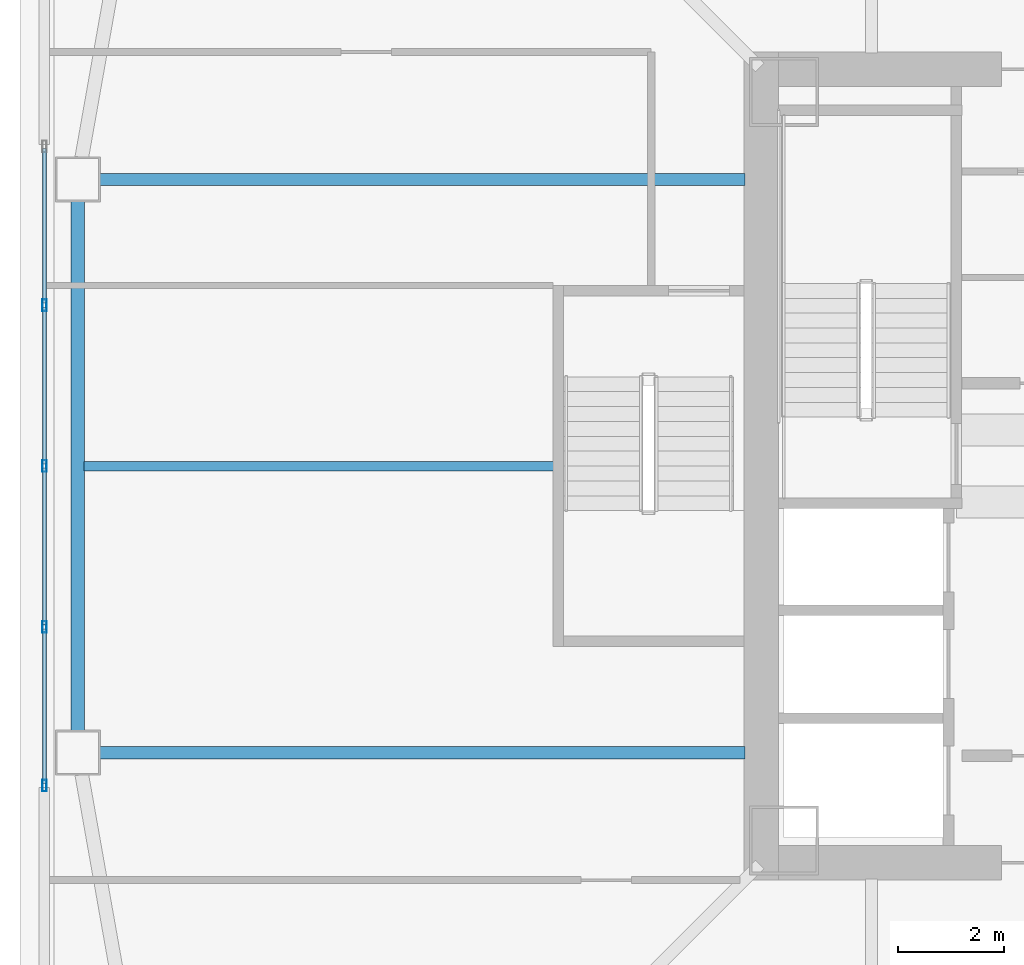
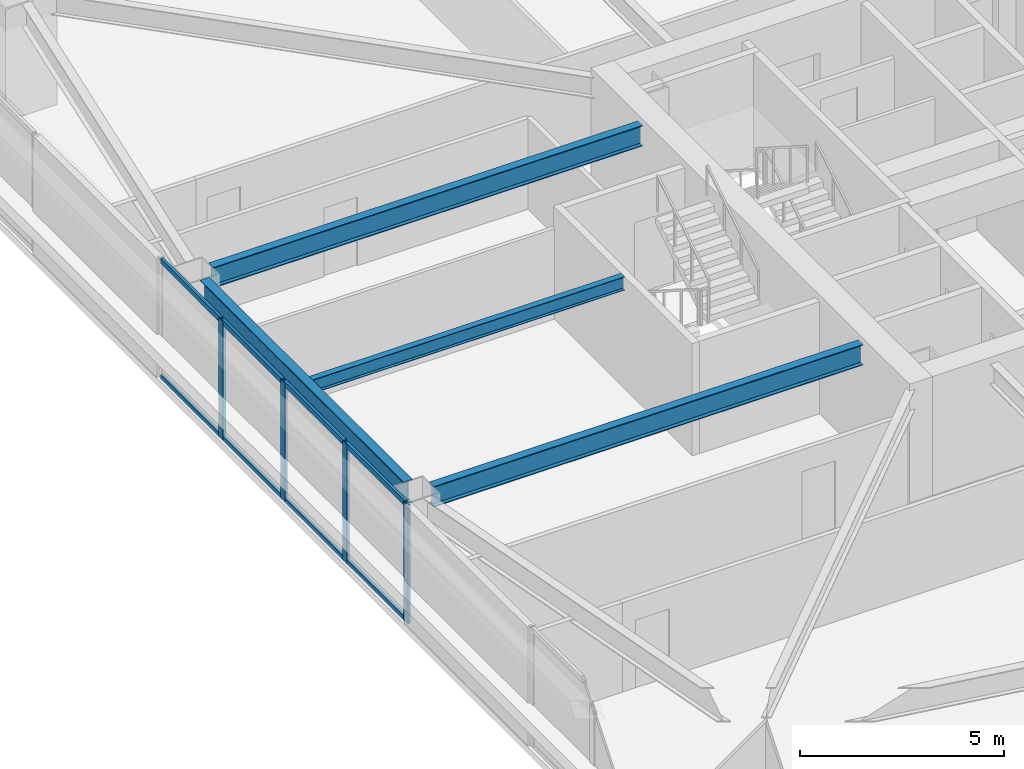
# One storey, part 6 of 44: 12 members, 4 beams, 1 element without a shape of its own.
"""IFC4 building model written with IfcOpenShell, lengths in metres."""

from ifc_helpers import new_model, si_unit, direction, frame, origin, origin_2d, place, context, subcontext, project, spatial, hollow_rectangle, i_section, extrude, material, material_profile, profile_set, type_object, element, aggregate, save


model = new_model("IFC4")

# Units and contexts
model_context = context("Model", 3, precision=1e-05, world=origin(), true_north=direction((0.0, 1.0)))
body_context = subcontext(model_context, "Body", "Model", "MODEL_VIEW")
ifc_project = project(units=[si_unit("LENGTHUNIT", "METRE"), si_unit("AREAUNIT", "SQUARE_METRE"), si_unit("VOLUMEUNIT", "CUBIC_METRE"), si_unit("PLANEANGLEUNIT", "RADIAN"), si_unit("MASSUNIT", "GRAM", prefix="KILO")], contexts=[model_context])

# Site, building, storey
site_placement = place(None, origin())
site = spatial("IfcSite", under=ifc_project, at=site_placement, CompositionType="ELEMENT")
building_placement = place(site_placement, origin())
building = spatial("IfcBuilding", under=site, at=building_placement, Name="Tashvorn Skyway Center", CompositionType="ELEMENT")
storey_placement = place(building_placement, frame((0.0, 0.0, 84.949951171875)))
storey = spatial("IfcBuildingStorey", under=building, at=storey_placement, Name="L22", CompositionType="ELEMENT", Elevation=84.949951171875)

# Beams
ifc_material_1 = material(Name="Steel ASTM A992 Grade 50", Category="steel")
ifc_material_profile_1 = material_profile(ifc_material_1, i_section(OverallWidth=0.22998046875, OverallDepth=0.616943359375, WebThickness=0.01318359375, FlangeThickness=0.022216796875, at=origin_2d()), Name="W24X94")
ifc_profile_set_1 = profile_set([ifc_material_profile_1], Name="Steel ASTM A992 Grade 50")
beam_type_1 = type_object("IfcBeamType", Name="BM-BEAM-W24X94", PredefinedType="BEAM", material=ifc_profile_set_1)
for number, where, z_axis, x_axis, name in (
    (1, (22.070068359375, 37.39990234375, 3.04150390625), (1.0, 0.0, 0.0), (0.0, 1.0, 0.0), "Tower 1 L22 Primary Floor Girder FC-W1"),
    (2, (22.070068359375, 26.60009765625, 3.04150390625), (1.0, 0.0, 0.0), (0.0, 1.0, 0.0), "Tower 1 L22 Primary Floor Girder FC-W2"),
):
    element("IfcBeam", number, at=place(storey_placement, frame(where, z_axis=z_axis, x_axis=x_axis)), inside=storey, type_object=beam_type_1, Name=name, PredefinedType="BEAM", context=body_context, shape_type="SweptSolid", body=[
        extrude(i_section(OverallWidth=0.22998046875, OverallDepth=0.616943359375, WebThickness=0.01318359375, FlangeThickness=0.022216796875, at=origin_2d()), origin(), (0.0, 0.0, 1.0), 12.14990234375),
    ])
ifc_material_profile_2 = material_profile(ifc_material_1, i_section(OverallWidth=0.177978515625, OverallDepth=0.406005859375, WebThickness=0.0078125, FlangeThickness=0.0126953125, at=origin_2d()), Name="W16X40")
ifc_profile_set_2 = profile_set([ifc_material_profile_2], Name="Steel ASTM A992 Grade 50")
beam_type_2 = type_object("IfcBeamType", Name="BM-JOIST-W16X40", PredefinedType="JOIST", material=ifc_profile_set_2)
beam_1_placement = place(storey_placement, frame((30.610107421875, 32.0, 3.14697265625), z_axis=(-1.0, 0.0, 0.0), x_axis=(0.0, -1.0, 0.0)))
element("IfcBeam", 3, at=beam_1_placement, inside=storey, type_object=beam_type_2, Name="Tower 1 L22 Secondary Composite Joist JW", PredefinedType="JOIST", context=body_context, shape_type="SweptSolid", body=[
    extrude(i_section(OverallWidth=0.177978515625, OverallDepth=0.406005859375, WebThickness=0.0078125, FlangeThickness=0.0126953125, at=origin_2d()), origin(), (0.0, 0.0, 1.0), 8.840087890625),
])
ifc_material_profile_3 = material_profile(ifc_material_1, i_section(OverallWidth=0.256103515625, OverallDepth=0.693115234375, WebThickness=0.014404296875, FlangeThickness=0.023681640625, at=origin_2d()), Name="W27X114")
ifc_profile_set_3 = profile_set([ifc_material_profile_3], Name="Steel ASTM A992 Grade 50")
beam_type_3 = type_object("IfcBeamType", Name="BM-SPANDREL-W27X114", PredefinedType="SPANDREL", material=ifc_profile_set_3)
beam_2_placement = place(storey_placement, frame((21.64990234375, 36.97998046875, 3.003662109375), z_axis=(0.0, -1.0, 0.0), x_axis=(1.0, 0.0, 0.0)))
element("IfcBeam", 4, at=beam_2_placement, inside=storey, type_object=beam_type_3, Name="Tower 1 L22 Spandrel Beam 11", PredefinedType="SPANDREL", context=body_context, shape_type="SweptSolid", body=[
    extrude(i_section(OverallWidth=0.256103515625, OverallDepth=0.693115234375, WebThickness=0.014404296875, FlangeThickness=0.023681640625, at=origin_2d()), origin(), (0.0, 0.0, 1.0), 9.9599609375),
])

# Curtain wall, members
ifc_material_2 = material(Name="Thermally broken bronze-anodized aluminium 6063-T6", Category="aluminium")
curtain_wall_type = type_object("IfcCurtainWallType", Name="CW-CW-Z2", PredefinedType="NOTDEFINED", material=ifc_material_2)
curtain_wall_placement = place(storey_placement, origin())
curtain_wall = element("IfcCurtainWall", 5, at=curtain_wall_placement, inside=storey, type_object=curtain_wall_type, Name="Tower 1 L22 West Unitised Curtain Wall Glazing Group 2", PredefinedType="NOTDEFINED")
ifc_material_profile_4 = material_profile(ifc_material_2, hollow_rectangle(XDim=0.080078125, YDim=0.219970703125, WallThickness=0.0048828125, at=origin_2d()), Name="ALU-MULL-80x220")
ifc_profile_set_4 = profile_set([ifc_material_profile_4], Name="Thermally broken bronze-anodized aluminium 6063-T6")
member_type_1 = type_object("IfcMemberType", Name="CWM-CW-Z2", PredefinedType="MULLION", material=ifc_profile_set_4)
member_1_placement = place(storey_placement, frame((21.02001953125, 25.97998046875, 0.0), z_axis=(0.0, 0.0, 1.0), x_axis=(-1.0, 0.0, 0.0)))
member_1 = element("IfcMember", 6, at=member_1_placement, type_object=member_type_1, Name="CW-Z2 mullion 1", PredefinedType="MULLION", context=body_context, shape_type="SweptSolid", body=[
    extrude(hollow_rectangle(XDim=0.080078125, YDim=0.219970703125, WallThickness=0.0048828125, at=origin_2d()), origin(), (0.0, 0.0, 1.0), 3.550048828125),
])
member_2_placement = place(storey_placement, frame((21.02001953125, 28.969970703125, 0.0), z_axis=(0.0, 0.0, 1.0), x_axis=(-1.0, 0.0, 0.0)))
member_2 = element("IfcMember", 7, at=member_2_placement, type_object=member_type_1, Name="CW-Z2 mullion 2", PredefinedType="MULLION", context=body_context, shape_type="SweptSolid", body=[
    extrude(hollow_rectangle(XDim=0.080078125, YDim=0.219970703125, WallThickness=0.0048828125, at=origin_2d()), origin(), (0.0, 0.0, 1.0), 3.550048828125),
])
member_3_placement = place(storey_placement, frame((21.02001953125, 32.0, 0.0), z_axis=(0.0, 0.0, 1.0), x_axis=(-1.0, 0.0, 0.0)))
member_3 = element("IfcMember", 8, at=member_3_placement, type_object=member_type_1, Name="CW-Z2 mullion 3", PredefinedType="MULLION", context=body_context, shape_type="SweptSolid", body=[
    extrude(hollow_rectangle(XDim=0.080078125, YDim=0.219970703125, WallThickness=0.0048828125, at=origin_2d()), origin(), (0.0, 0.0, 1.0), 3.550048828125),
])
member_4_placement = place(storey_placement, frame((21.02001953125, 35.030029296875, 0.0), z_axis=(0.0, 0.0, 1.0), x_axis=(-1.0, 0.0, 0.0)))
member_4 = element("IfcMember", 9, at=member_4_placement, type_object=member_type_1, Name="CW-Z2 mullion 4", PredefinedType="MULLION", context=body_context, shape_type="SweptSolid", body=[
    extrude(hollow_rectangle(XDim=0.080078125, YDim=0.219970703125, WallThickness=0.0048828125, at=origin_2d()), origin(), (0.0, 0.0, 1.0), 3.550048828125),
])
ifc_material_profile_5 = material_profile(ifc_material_2, hollow_rectangle(XDim=0.080078125, YDim=0.14990234375, WallThickness=0.00439453125, at=origin_2d()), Name="ALU-TRAN-80x150")
ifc_profile_set_5 = profile_set([ifc_material_profile_5], Name="Thermally broken bronze-anodized aluminium 6063-T6")
member_type_2 = type_object("IfcMemberType", Name="CWT-CW-Z2", PredefinedType="USERDEFINED", material=ifc_profile_set_5)
member_5_placement = place(storey_placement, frame((21.02001953125, 26.02001953125, 0.0400390625), z_axis=(0.0, 1.0, 0.0), x_axis=(-1.0, 0.0, 0.0)))
member_5 = element("IfcMember", 10, at=member_5_placement, type_object=member_type_2, Name="CW-Z2 transom 1.1", ObjectType="TRANSOM", PredefinedType="USERDEFINED", context=body_context, shape_type="SweptSolid", body=[
    extrude(hollow_rectangle(XDim=0.080078125, YDim=0.14990234375, WallThickness=0.00439453125, at=origin_2d()), origin(), (0.0, 0.0, 1.0), 2.909912109375),
])
member_6_placement = place(storey_placement, frame((21.02001953125, 26.02001953125, 3.510009765625), z_axis=(0.0, 1.0, 0.0), x_axis=(-1.0, 0.0, 0.0)))
member_6 = element("IfcMember", 11, at=member_6_placement, type_object=member_type_2, Name="CW-Z2 transom 1.2", ObjectType="TRANSOM", PredefinedType="USERDEFINED", context=body_context, shape_type="SweptSolid", body=[
    extrude(hollow_rectangle(XDim=0.080078125, YDim=0.14990234375, WallThickness=0.00439453125, at=origin_2d()), origin(), (0.0, 0.0, 1.0), 2.909912109375),
])
member_7_placement = place(storey_placement, frame((21.02001953125, 29.010009765625, 0.0400390625), z_axis=(0.0, 1.0, 0.0), x_axis=(-1.0, 0.0, 0.0)))
member_7 = element("IfcMember", 12, at=member_7_placement, type_object=member_type_2, Name="CW-Z2 transom 2.1", ObjectType="TRANSOM", PredefinedType="USERDEFINED", context=body_context, shape_type="SweptSolid", body=[
    extrude(hollow_rectangle(XDim=0.080078125, YDim=0.14990234375, WallThickness=0.00439453125, at=origin_2d()), origin(), (0.0, 0.0, 1.0), 2.949951171875),
])
member_8_placement = place(storey_placement, frame((21.02001953125, 29.010009765625, 3.510009765625), z_axis=(0.0, 1.0, 0.0), x_axis=(-1.0, 0.0, 0.0)))
member_8 = element("IfcMember", 13, at=member_8_placement, type_object=member_type_2, Name="CW-Z2 transom 2.2", ObjectType="TRANSOM", PredefinedType="USERDEFINED", context=body_context, shape_type="SweptSolid", body=[
    extrude(hollow_rectangle(XDim=0.080078125, YDim=0.14990234375, WallThickness=0.00439453125, at=origin_2d()), origin(), (0.0, 0.0, 1.0), 2.949951171875),
])
member_9_placement = place(storey_placement, frame((21.02001953125, 32.0400390625, 0.0400390625), z_axis=(0.0, 1.0, 0.0), x_axis=(-1.0, 0.0, 0.0)))
member_9 = element("IfcMember", 14, at=member_9_placement, type_object=member_type_2, Name="CW-Z2 transom 3.1", ObjectType="TRANSOM", PredefinedType="USERDEFINED", context=body_context, shape_type="SweptSolid", body=[
    extrude(hollow_rectangle(XDim=0.080078125, YDim=0.14990234375, WallThickness=0.00439453125, at=origin_2d()), origin(), (0.0, 0.0, 1.0), 2.949951171875),
])
member_10_placement = place(storey_placement, frame((21.02001953125, 32.0400390625, 3.510009765625), z_axis=(0.0, 1.0, 0.0), x_axis=(-1.0, 0.0, 0.0)))
member_10 = element("IfcMember", 15, at=member_10_placement, type_object=member_type_2, Name="CW-Z2 transom 3.2", ObjectType="TRANSOM", PredefinedType="USERDEFINED", context=body_context, shape_type="SweptSolid", body=[
    extrude(hollow_rectangle(XDim=0.080078125, YDim=0.14990234375, WallThickness=0.00439453125, at=origin_2d()), origin(), (0.0, 0.0, 1.0), 2.949951171875),
])
member_11_placement = place(storey_placement, frame((21.02001953125, 35.070068359375, 0.0400390625), z_axis=(0.0, 1.0, 0.0), x_axis=(-1.0, 0.0, 0.0)))
member_11 = element("IfcMember", 16, at=member_11_placement, type_object=member_type_2, Name="CW-Z2 transom 4.1", ObjectType="TRANSOM", PredefinedType="USERDEFINED", context=body_context, shape_type="SweptSolid", body=[
    extrude(hollow_rectangle(XDim=0.080078125, YDim=0.14990234375, WallThickness=0.00439453125, at=origin_2d()), origin(), (0.0, 0.0, 1.0), 2.909912109375),
])
member_12_placement = place(storey_placement, frame((21.02001953125, 35.070068359375, 3.510009765625), z_axis=(0.0, 1.0, 0.0), x_axis=(-1.0, 0.0, 0.0)))
member_12 = element("IfcMember", 17, at=member_12_placement, type_object=member_type_2, Name="CW-Z2 transom 4.2", ObjectType="TRANSOM", PredefinedType="USERDEFINED", context=body_context, shape_type="SweptSolid", body=[
    extrude(hollow_rectangle(XDim=0.080078125, YDim=0.14990234375, WallThickness=0.00439453125, at=origin_2d()), origin(), (0.0, 0.0, 1.0), 2.909912109375),
])
aggregate(curtain_wall, [member_1, member_2, member_3, member_4, member_5, member_6, member_7, member_8, member_9, member_10, member_11, member_12])

save(model, "model.ifc")
